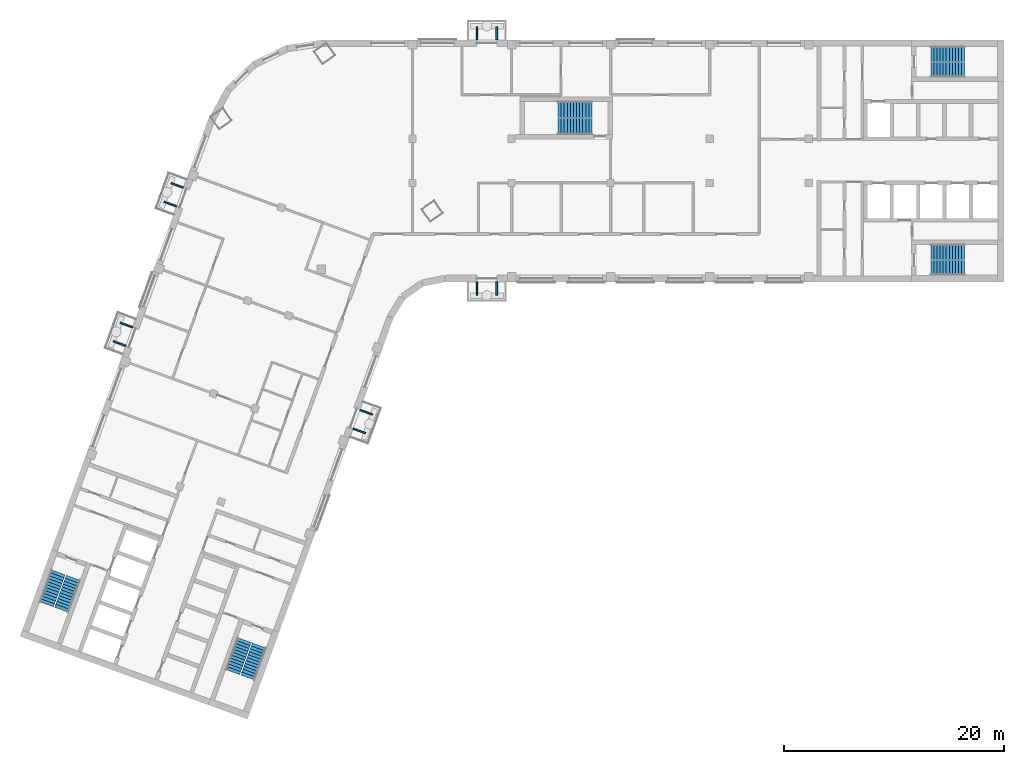
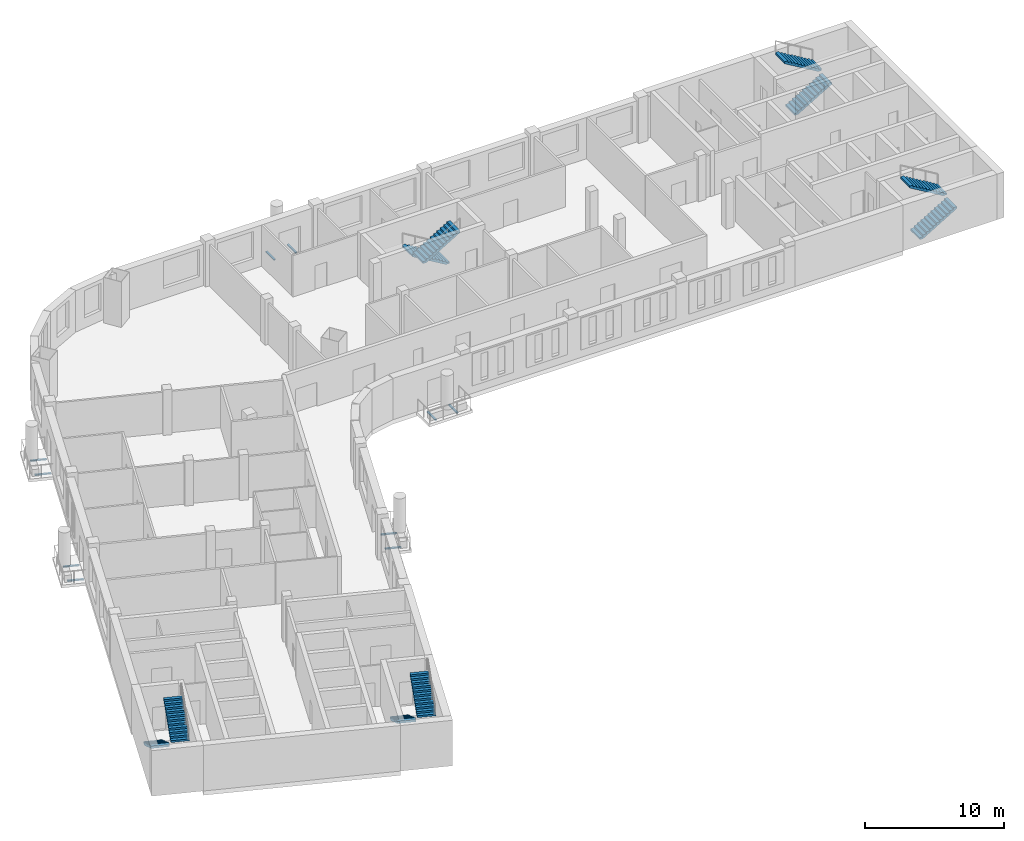
# One storey, part 8 of 11: 10 discrete accessories, 10 stair flights, 5 elements without a shape of their own.
"""IFC4 building model written with IfcOpenShell, lengths in metres."""

from ifc_helpers import new_model, si_unit, direction, frame, origin, origin_2d, place, context, subcontext, project, spatial, polyline, rectangle, outline, extrude, material, type_object, element, aggregate, save


model = new_model("IFC4")

# Units and contexts
model_context = context("Model", 3, precision=1e-05, world=origin(), true_north=direction((0.0, 1.0)))
body_context = subcontext(model_context, "Body", "Model", "MODEL_VIEW")
ifc_project = project(units=[si_unit("LENGTHUNIT", "METRE"), si_unit("AREAUNIT", "SQUARE_METRE"), si_unit("VOLUMEUNIT", "CUBIC_METRE"), si_unit("PLANEANGLEUNIT", "RADIAN"), si_unit("MASSUNIT", "GRAM", prefix="KILO")], contexts=[model_context])

# Site, building, storey
site_placement = place(None, origin())
site = spatial("IfcSite", under=ifc_project, at=site_placement, CompositionType="ELEMENT")
building_placement = place(site_placement, origin())
building = spatial("IfcBuilding", under=site, at=building_placement, Name="Skarvind Civic Tower", CompositionType="ELEMENT")
storey_placement = place(building_placement, frame((0.0, 0.0, 142.5)))
storey = spatial("IfcBuildingStorey", under=building, at=storey_placement, Name="L33", CompositionType="ELEMENT", Elevation=142.5)

# Stair, stair flights
ifc_material = material(Name="Concrete C40/50", Category="concrete")
stair_type_1 = type_object("IfcStairType", Name="Exit stair 1450, half-turn, concrete", PredefinedType="HALF_TURN_STAIR", material=ifc_material)
stair_1_placement = place(storey_placement, origin())
stair_1 = element("IfcStair", 1, at=stair_1_placement, inside=storey, type_object=stair_type_1, Name="Exit stair CM", PredefinedType="HALF_TURN_STAIR")
stair_flight_type_1 = type_object("IfcStairFlightType", Name="Stair flight 1450, concrete", PredefinedType="STRAIGHT", material=ifc_material)
stair_flight_1_placement = place(storey_placement, frame((70.550048828125, 132.675048828125, 0.0), z_axis=(0.0, 0.0, 1.0), x_axis=(-1.0, 0.0, 0.0)))
stair_flight_1 = element("IfcStairFlight", 2, at=stair_flight_1_placement, type_object=stair_flight_type_1, Name="ST-CM flight 1", NumberOfRisers=12, NumberOfTreads=11, PredefinedType="STRAIGHT", RiserHeight=0.166666667, TreadLength=0.28, context=body_context, shape_type="SweptSolid", body=[
    extrude(outline(polyline([(0.0, 0.0), (0.0, 0.166748046875), (0.280029296875, 0.166748046875), (0.280029296875, 0.333251953125), (0.56005859375, 0.333251953125), (0.56005859375, 0.5), (0.840087890625, 0.5), (0.840087890625, 0.666748046875), (1.1201171875, 0.666748046875), (1.1201171875, 0.833251953125), (1.39990234375, 0.833251953125), (1.39990234375, 1.0), (1.679931640625, 1.0), (1.679931640625, 1.166748046875), (1.9599609375, 1.166748046875), (1.9599609375, 1.333251953125), (2.239990234375, 1.333251953125), (2.239990234375, 1.5), (2.52001953125, 1.5), (2.52001953125, 1.666748046875), (2.800048828125, 1.666748046875), (2.800048828125, 1.833251953125), (3.080078125, 1.833251953125), (3.080078125, 2.0), (3.080078125, 1.658935546875), (0.29296875, 0.0), (0.0, 0.0)])), frame((0.0, 0.72509765625, 0.0), z_axis=(0.0, -1.0, 0.0), x_axis=(1.0, 0.0, 0.0)), (0.0, 0.0, 1.0), 1.449951171875),
])
stair_flight_2_placement = place(storey_placement, frame((67.469970703125, 131.125, 2.0), z_axis=(0.0, 0.0, 1.0), x_axis=(1.0, 0.0, 0.0)))
stair_flight_2 = element("IfcStairFlight", 3, at=stair_flight_2_placement, type_object=stair_flight_type_1, Name="ST-CM flight 2", NumberOfRisers=12, NumberOfTreads=11, PredefinedType="STRAIGHT", RiserHeight=0.166666667, TreadLength=0.28, context=body_context, shape_type="SweptSolid", body=[
    extrude(outline(polyline([(0.0, 0.0), (0.0, 0.166748046875), (0.280029296875, 0.166748046875), (0.280029296875, 0.333251953125), (0.56005859375, 0.333251953125), (0.56005859375, 0.5), (0.840087890625, 0.5), (0.840087890625, 0.666748046875), (1.1201171875, 0.666748046875), (1.1201171875, 0.833251953125), (1.39990234375, 0.833251953125), (1.39990234375, 1.0), (1.679931640625, 1.0), (1.679931640625, 1.166748046875), (1.9599609375, 1.166748046875), (1.9599609375, 1.333251953125), (2.239990234375, 1.333251953125), (2.239990234375, 1.5), (2.52001953125, 1.5), (2.52001953125, 1.666748046875), (2.800048828125, 1.666748046875), (2.800048828125, 1.833251953125), (3.080078125, 1.833251953125), (3.080078125, 2.0), (3.080078125, 1.658935546875), (0.29296875, 0.0), (0.0, 0.0)])), frame((0.0, 0.72509765625, 0.0), z_axis=(0.0, -1.0, 0.0), x_axis=(1.0, 0.0, 0.0)), (0.0, 0.0, 1.0), 1.449951171875),
])
aggregate(stair_1, [stair_flight_1, stair_flight_2])

stair_type_2 = type_object("IfcStairType", Name="Exit stair, half-turn, concrete", PredefinedType="HALF_TURN_STAIR", material=ifc_material)
stair_2_placement = place(storey_placement, origin())
stair_2 = element("IfcStair", 4, at=stair_2_placement, inside=storey, type_object=stair_type_2, Name="Exit stair C1S", PredefinedType="HALF_TURN_STAIR")
stair_flight_type_2 = type_object("IfcStairFlightType", Name="Stair flight, concrete", PredefinedType="STRAIGHT", material=ifc_material)
stair_flight_3_placement = place(storey_placement, frame((101.35009765625, 136.27490234375, 0.0), z_axis=(0.0, 0.0, 1.0), x_axis=(1.0, 0.0, 0.0)))
stair_flight_3 = element("IfcStairFlight", 5, at=stair_flight_3_placement, type_object=stair_flight_type_2, Name="ST-C1S flight 1", NumberOfRisers=12, NumberOfTreads=11, PredefinedType="STRAIGHT", RiserHeight=0.166666667, TreadLength=0.28, context=body_context, shape_type="SweptSolid", body=[
    extrude(outline(polyline([(0.0, 0.0), (0.0, 0.166748046875), (0.280029296875, 0.166748046875), (0.280029296875, 0.333251953125), (0.56005859375, 0.333251953125), (0.56005859375, 0.5), (0.840087890625, 0.5), (0.840087890625, 0.666748046875), (1.1201171875, 0.666748046875), (1.1201171875, 0.833251953125), (1.39990234375, 0.833251953125), (1.39990234375, 1.0), (1.679931640625, 1.0), (1.679931640625, 1.166748046875), (1.9599609375, 1.166748046875), (1.9599609375, 1.333251953125), (2.239990234375, 1.333251953125), (2.239990234375, 1.5), (2.52001953125, 1.5), (2.52001953125, 1.666748046875), (2.800048828125, 1.666748046875), (2.800048828125, 1.833251953125), (3.080078125, 1.833251953125), (3.080078125, 2.0), (3.080078125, 1.658935546875), (0.29296875, 0.0), (0.0, 0.0)])), frame((0.0, 0.675048828125, 0.0), z_axis=(0.0, -1.0, 0.0), x_axis=(1.0, 0.0, 0.0)), (0.0, 0.0, 1.0), 1.35009765625),
])
stair_flight_4_placement = place(storey_placement, frame((104.429931640625, 137.72509765625, 2.0), z_axis=(0.0, 0.0, 1.0), x_axis=(-1.0, 0.0, 0.0)))
stair_flight_4 = element("IfcStairFlight", 6, at=stair_flight_4_placement, type_object=stair_flight_type_2, Name="ST-C1S flight 2", NumberOfRisers=12, NumberOfTreads=11, PredefinedType="STRAIGHT", RiserHeight=0.166666667, TreadLength=0.28, context=body_context, shape_type="SweptSolid", body=[
    extrude(outline(polyline([(0.0, 0.0), (0.0, 0.166748046875), (0.280029296875, 0.166748046875), (0.280029296875, 0.333251953125), (0.56005859375, 0.333251953125), (0.56005859375, 0.5), (0.840087890625, 0.5), (0.840087890625, 0.666748046875), (1.1201171875, 0.666748046875), (1.1201171875, 0.833251953125), (1.39990234375, 0.833251953125), (1.39990234375, 1.0), (1.679931640625, 1.0), (1.679931640625, 1.166748046875), (1.9599609375, 1.166748046875), (1.9599609375, 1.333251953125), (2.239990234375, 1.333251953125), (2.239990234375, 1.5), (2.52001953125, 1.5), (2.52001953125, 1.666748046875), (2.800048828125, 1.666748046875), (2.800048828125, 1.833251953125), (3.080078125, 1.833251953125), (3.080078125, 2.0), (3.080078125, 1.658935546875), (0.29296875, 0.0), (0.0, 0.0)])), frame((0.0, 0.675048828125, 0.0), z_axis=(0.0, -1.0, 0.0), x_axis=(1.0, 0.0, 0.0)), (0.0, 0.0, 1.0), 1.35009765625),
])
aggregate(stair_2, [stair_flight_3, stair_flight_4])

stair_3_placement = place(storey_placement, origin())
stair_3 = element("IfcStair", 7, at=stair_3_placement, inside=storey, type_object=stair_type_2, Name="Exit stair C1N", PredefinedType="HALF_TURN_STAIR")
stair_flight_5_placement = place(storey_placement, frame((101.35009765625, 118.27490234375, 0.0), z_axis=(0.0, 0.0, 1.0), x_axis=(1.0, 0.0, 0.0)))
stair_flight_5 = element("IfcStairFlight", 8, at=stair_flight_5_placement, type_object=stair_flight_type_2, Name="ST-C1N flight 1", NumberOfRisers=12, NumberOfTreads=11, PredefinedType="STRAIGHT", RiserHeight=0.166666667, TreadLength=0.28, context=body_context, shape_type="SweptSolid", body=[
    extrude(outline(polyline([(0.0, 0.0), (0.0, 0.166748046875), (0.280029296875, 0.166748046875), (0.280029296875, 0.333251953125), (0.56005859375, 0.333251953125), (0.56005859375, 0.5), (0.840087890625, 0.5), (0.840087890625, 0.666748046875), (1.1201171875, 0.666748046875), (1.1201171875, 0.833251953125), (1.39990234375, 0.833251953125), (1.39990234375, 1.0), (1.679931640625, 1.0), (1.679931640625, 1.166748046875), (1.9599609375, 1.166748046875), (1.9599609375, 1.333251953125), (2.239990234375, 1.333251953125), (2.239990234375, 1.5), (2.52001953125, 1.5), (2.52001953125, 1.666748046875), (2.800048828125, 1.666748046875), (2.800048828125, 1.833251953125), (3.080078125, 1.833251953125), (3.080078125, 2.0), (3.080078125, 1.658935546875), (0.29296875, 0.0), (0.0, 0.0)])), frame((0.0, 0.675048828125, 0.0), z_axis=(0.0, -1.0, 0.0), x_axis=(1.0, 0.0, 0.0)), (0.0, 0.0, 1.0), 1.35009765625),
])
stair_flight_6_placement = place(storey_placement, frame((104.429931640625, 119.72509765625, 2.0), z_axis=(0.0, 0.0, 1.0), x_axis=(-1.0, 0.0, 0.0)))
stair_flight_6 = element("IfcStairFlight", 9, at=stair_flight_6_placement, type_object=stair_flight_type_2, Name="ST-C1N flight 2", NumberOfRisers=12, NumberOfTreads=11, PredefinedType="STRAIGHT", RiserHeight=0.166666667, TreadLength=0.28, context=body_context, shape_type="SweptSolid", body=[
    extrude(outline(polyline([(0.0, 0.0), (0.0, 0.166748046875), (0.280029296875, 0.166748046875), (0.280029296875, 0.333251953125), (0.56005859375, 0.333251953125), (0.56005859375, 0.5), (0.840087890625, 0.5), (0.840087890625, 0.666748046875), (1.1201171875, 0.666748046875), (1.1201171875, 0.833251953125), (1.39990234375, 0.833251953125), (1.39990234375, 1.0), (1.679931640625, 1.0), (1.679931640625, 1.166748046875), (1.9599609375, 1.166748046875), (1.9599609375, 1.333251953125), (2.239990234375, 1.333251953125), (2.239990234375, 1.5), (2.52001953125, 1.5), (2.52001953125, 1.666748046875), (2.800048828125, 1.666748046875), (2.800048828125, 1.833251953125), (3.080078125, 1.833251953125), (3.080078125, 2.0), (3.080078125, 1.658935546875), (0.29296875, 0.0), (0.0, 0.0)])), frame((0.0, 0.675048828125, 0.0), z_axis=(0.0, -1.0, 0.0), x_axis=(1.0, 0.0, 0.0)), (0.0, 0.0, 1.0), 1.35009765625),
])
aggregate(stair_3, [stair_flight_5, stair_flight_6])

stair_4_placement = place(storey_placement, origin())
stair_4 = element("IfcStair", 10, at=stair_4_placement, inside=storey, type_object=stair_type_2, Name="Exit stair C2S", PredefinedType="HALF_TURN_STAIR")
stair_flight_7_placement = place(storey_placement, frame((38.949462890625, 84.43408203125, 0.0), z_axis=(0.0, 0.0, 1.0), x_axis=(-0.342020143326, -0.939692620786, 0.0)))
stair_flight_7 = element("IfcStairFlight", 11, at=stair_flight_7_placement, type_object=stair_flight_type_2, Name="ST-C2S flight 1", NumberOfRisers=12, NumberOfTreads=11, PredefinedType="STRAIGHT", RiserHeight=0.166666667, TreadLength=0.28, context=body_context, shape_type="SweptSolid", body=[
    extrude(outline(polyline([(0.0, 0.0), (0.0, 0.166748046875), (0.280029296875, 0.166748046875), (0.280029296875, 0.333251953125), (0.56005859375, 0.333251953125), (0.56005859375, 0.5), (0.840087890625, 0.5), (0.840087890625, 0.666748046875), (1.1201171875, 0.666748046875), (1.1201171875, 0.833251953125), (1.39990234375, 0.833251953125), (1.39990234375, 1.0), (1.679931640625, 1.0), (1.679931640625, 1.166748046875), (1.9599609375, 1.166748046875), (1.9599609375, 1.333251953125), (2.239990234375, 1.333251953125), (2.239990234375, 1.5), (2.52001953125, 1.5), (2.52001953125, 1.666748046875), (2.800048828125, 1.666748046875), (2.800048828125, 1.833251953125), (3.080078125, 1.833251953125), (3.080078125, 2.0), (3.080078125, 1.658935546875), (0.29296875, 0.0), (0.0, 0.0)])), frame((0.0, 0.675048828125, 0.0), z_axis=(0.0, -1.0, 0.0), x_axis=(1.0, 0.0, 0.0)), (0.0, 0.0, 1.0), 1.35009765625),
])
stair_flight_8_placement = place(storey_placement, frame((39.258544921875, 81.0439453125, 2.0), z_axis=(0.0, 0.0, 1.0), x_axis=(0.342020143326, 0.939692620786, 0.0)))
stair_flight_8 = element("IfcStairFlight", 12, at=stair_flight_8_placement, type_object=stair_flight_type_2, Name="ST-C2S flight 2", NumberOfRisers=12, NumberOfTreads=11, PredefinedType="STRAIGHT", RiserHeight=0.166666667, TreadLength=0.28, context=body_context, shape_type="SweptSolid", body=[
    extrude(outline(polyline([(0.0, 0.0), (0.0, 0.166748046875), (0.280029296875, 0.166748046875), (0.280029296875, 0.333251953125), (0.56005859375, 0.333251953125), (0.56005859375, 0.5), (0.840087890625, 0.5), (0.840087890625, 0.666748046875), (1.1201171875, 0.666748046875), (1.1201171875, 0.833251953125), (1.39990234375, 0.833251953125), (1.39990234375, 1.0), (1.679931640625, 1.0), (1.679931640625, 1.166748046875), (1.9599609375, 1.166748046875), (1.9599609375, 1.333251953125), (2.239990234375, 1.333251953125), (2.239990234375, 1.5), (2.52001953125, 1.5), (2.52001953125, 1.666748046875), (2.800048828125, 1.666748046875), (2.800048828125, 1.833251953125), (3.080078125, 1.833251953125), (3.080078125, 2.0), (3.080078125, 1.658935546875), (0.29296875, 0.0), (0.0, 0.0)])), frame((0.0, 0.675048828125, 0.0), z_axis=(0.0, -1.0, 0.0), x_axis=(1.0, 0.0, 0.0)), (0.0, 0.0, 1.0), 1.35009765625),
])
aggregate(stair_4, [stair_flight_7, stair_flight_8])

stair_5_placement = place(storey_placement, origin())
stair_5 = element("IfcStair", 13, at=stair_5_placement, inside=storey, type_object=stair_type_2, Name="Exit stair C2N", PredefinedType="HALF_TURN_STAIR")
stair_flight_9_placement = place(storey_placement, frame((22.034912109375, 90.590576171875, 0.0), z_axis=(0.0, 0.0, 1.0), x_axis=(-0.342020143326, -0.939692620786, 0.0)))
stair_flight_9 = element("IfcStairFlight", 14, at=stair_flight_9_placement, type_object=stair_flight_type_2, Name="ST-C2N flight 1", NumberOfRisers=12, NumberOfTreads=11, PredefinedType="STRAIGHT", RiserHeight=0.166666667, TreadLength=0.28, context=body_context, shape_type="SweptSolid", body=[
    extrude(outline(polyline([(0.0, 0.0), (0.0, 0.166748046875), (0.280029296875, 0.166748046875), (0.280029296875, 0.333251953125), (0.56005859375, 0.333251953125), (0.56005859375, 0.5), (0.840087890625, 0.5), (0.840087890625, 0.666748046875), (1.1201171875, 0.666748046875), (1.1201171875, 0.833251953125), (1.39990234375, 0.833251953125), (1.39990234375, 1.0), (1.679931640625, 1.0), (1.679931640625, 1.166748046875), (1.9599609375, 1.166748046875), (1.9599609375, 1.333251953125), (2.239990234375, 1.333251953125), (2.239990234375, 1.5), (2.52001953125, 1.5), (2.52001953125, 1.666748046875), (2.800048828125, 1.666748046875), (2.800048828125, 1.833251953125), (3.080078125, 1.833251953125), (3.080078125, 2.0), (3.080078125, 1.658935546875), (0.29296875, 0.0), (0.0, 0.0)])), frame((0.0, 0.675048828125, 0.0), z_axis=(0.0, -1.0, 0.0), x_axis=(1.0, 0.0, 0.0)), (0.0, 0.0, 1.0), 1.35009765625),
])
stair_flight_10_placement = place(storey_placement, frame((22.343994140625, 87.2001953125, 2.0), z_axis=(0.0, 0.0, 1.0), x_axis=(0.342020143326, 0.939692620786, 0.0)))
stair_flight_10 = element("IfcStairFlight", 15, at=stair_flight_10_placement, type_object=stair_flight_type_2, Name="ST-C2N flight 2", NumberOfRisers=12, NumberOfTreads=11, PredefinedType="STRAIGHT", RiserHeight=0.166666667, TreadLength=0.28, context=body_context, shape_type="SweptSolid", body=[
    extrude(outline(polyline([(0.0, 0.0), (0.0, 0.166748046875), (0.280029296875, 0.166748046875), (0.280029296875, 0.333251953125), (0.56005859375, 0.333251953125), (0.56005859375, 0.5), (0.840087890625, 0.5), (0.840087890625, 0.666748046875), (1.1201171875, 0.666748046875), (1.1201171875, 0.833251953125), (1.39990234375, 0.833251953125), (1.39990234375, 1.0), (1.679931640625, 1.0), (1.679931640625, 1.166748046875), (1.9599609375, 1.166748046875), (1.9599609375, 1.333251953125), (2.239990234375, 1.333251953125), (2.239990234375, 1.5), (2.52001953125, 1.5), (2.52001953125, 1.666748046875), (2.800048828125, 1.666748046875), (2.800048828125, 1.833251953125), (3.080078125, 1.833251953125), (3.080078125, 2.0), (3.080078125, 1.658935546875), (0.29296875, 0.0), (0.0, 0.0)])), frame((0.0, 0.675048828125, 0.0), z_axis=(0.0, -1.0, 0.0), x_axis=(1.0, 0.0, 0.0)), (0.0, 0.0, 1.0), 1.35009765625),
])
aggregate(stair_5, [stair_flight_9, stair_flight_10])

# Discrete accessories
for number, where, z_axis, x_axis, name in (
    (16, (50.02587890625, 105.144775390625, -0.35009765625), (0.0, 0.0, 1.0), (-0.342020143326, -0.939692620786, 0.0), "TREE BALCONY BRACKET"),
    (17, (49.41015625, 103.453369140625, -0.35009765625), (0.0, 0.0, 1.0), (-0.342020143326, -0.939692620786, 0.0), "TREE BALCONY BRACKET"),
    (18, (61.89990234375, 116.39990234375, -0.35009765625), (0.0, 0.0, 1.0), (-1.0, 0.0, 0.0), "TREE BALCONY BRACKET"),
    (19, (60.10009765625, 116.39990234375, -0.35009765625), (0.0, 0.0, 1.0), (-1.0, 0.0, 0.0), "TREE BALCONY BRACKET"),
    (20, (60.10009765625, 139.60009765625, -0.35009765625), (0.0, 0.0, 1.0), (1.0, 0.0, 0.0), "TREE BALCONY BRACKET"),
    (21, (61.89990234375, 139.60009765625, -0.35009765625), (0.0, 0.0, 1.0), (1.0, 0.0, 0.0), "TREE BALCONY BRACKET"),
    (22, (27.609375, 111.38818359375, -0.35009765625), (0.0, 0.0, 1.0), (0.342020143326, 0.939692620786, 0.0), "TREE BALCONY BRACKET"),
    (23, (28.22509765625, 113.07958984375, -0.35009765625), (0.0, 0.0, 1.0), (0.342020143326, 0.939692620786, 0.0), "TREE BALCONY BRACKET"),
    (24, (32.2265625, 124.07421875, -0.35009765625), (0.0, 0.0, 1.0), (0.342020143326, 0.939692620786, 0.0), "TREE BALCONY BRACKET"),
    (25, (32.84228515625, 125.765380859375, -0.35009765625), (0.0, 0.0, 1.0), (0.342020143326, 0.939692620786, 0.0), "TREE BALCONY BRACKET"),
):
    element("IfcDiscreteAccessory", number, at=place(storey_placement, frame(where, z_axis=z_axis, x_axis=x_axis)), inside=storey, Name=name, PredefinedType="BRACKET", context=body_context, shape_type="SweptSolid", body=[
        extrude(rectangle(XDim=0.14990234375, YDim=1.199951171875, at=origin_2d()), origin(), (0.0, 0.0, 1.0), 0.10009765625),
    ])

save(model, "model.ifc")
